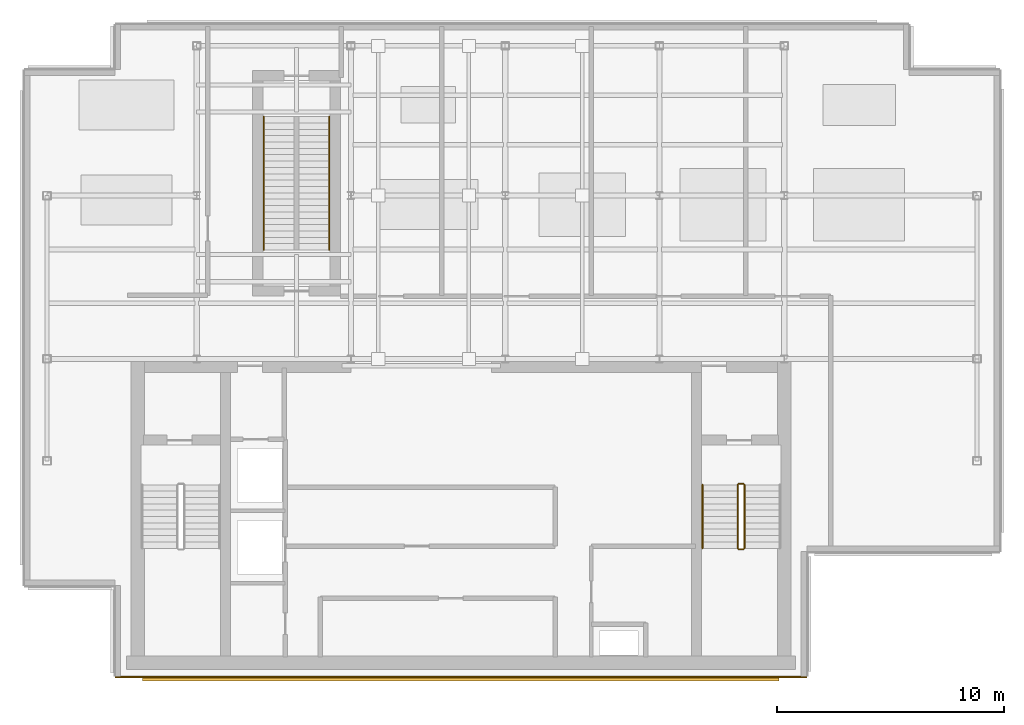
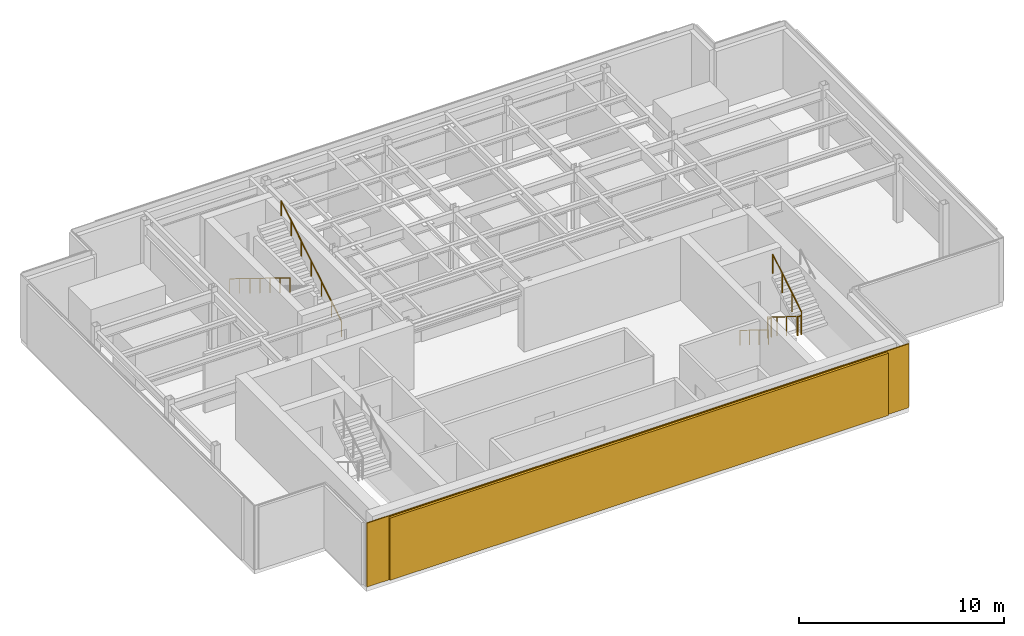
# One storey, part 5 of 7: 7 railings, 1 covering, 1 shading device.
"""IFC4 building model written with IfcOpenShell, lengths in metres."""

from ifc_helpers import new_model, si_unit, derived_unit, direction, frame, origin, origin_2d, place, context, subcontext, project, spatial, rectangle, circle, extrude, source, transform, mapped, material, layer, layer_set, type_object, element, save


model = new_model("IFC4")

# Units and contexts
model_context = context("Model", 3, precision=1e-05, world=origin(), true_north=direction((0.0, 1.0)))
body_context = subcontext(model_context, "Body", "Model", "MODEL_VIEW")
ifc_project = project(units=[si_unit("LENGTHUNIT", "METRE"), si_unit("AREAUNIT", "SQUARE_METRE"), si_unit("VOLUMEUNIT", "CUBIC_METRE"), si_unit("PLANEANGLEUNIT", "RADIAN"), si_unit("MASSUNIT", "GRAM", prefix="KILO"), derived_unit("THERMALTRANSMITTANCEUNIT", [(si_unit("POWERUNIT", "WATT"), 1), (si_unit("LENGTHUNIT", "METRE"), -2), (si_unit("THERMODYNAMICTEMPERATUREUNIT", "KELVIN"), -1)])], contexts=[model_context])

# Site, building, storey
site_placement = place(None, origin())
site = spatial("IfcSite", under=ifc_project, at=site_placement, CompositionType="ELEMENT")
building_placement = place(site_placement, origin())
building = spatial("IfcBuilding", under=site, at=building_placement, Name="Skarnbrae Concourse Arena and Tower", CompositionType="ELEMENT")
storey_placement = place(building_placement, frame((0.0, 0.0, 307.449951171875)))
storey = spatial("IfcBuildingStorey", under=building, at=storey_placement, Name="L80", CompositionType="ELEMENT", Elevation=307.449951171875)

# Railings
ifc_material_1 = material(Name="Steel CSA G40.21 350W", Category="steel")
railing_type_1 = type_object("IfcRailingType", Name="RAIL-HANDRAIL-900", PredefinedType="HANDRAIL", material=ifc_material_1)
railing_1_placement = place(storey_placement, frame((29.89990234375, 8.449951171875, 0.1728515625)))
element("IfcRailing", 1, at=railing_1_placement, inside=storey, type_object=railing_type_1, Name="L80 ST-2 stair handrail 1", PredefinedType="HANDRAIL", context=body_context, shape_type="SweptSolid", body=[
    extrude(circle(Radius=0.02392578125, at=origin_2d()), frame((0.0, 0.0, 0.8759765625), z_axis=(0.0, -0.851089632645, 0.525020415988), x_axis=(1.0, 0.0, 0.0)), (0.0, 0.0, 1.0), 3.2900390625),
    extrude(circle(Radius=0.02099609375, at=origin_2d()), origin(), (0.0, 0.0, 1.0), 0.851806640625),
    extrude(circle(Radius=0.02099609375, at=origin_2d()), frame((0.0, -0.933349609375, 0.57568359375)), (0.0, 0.0, 1.0), 0.851806640625),
    extrude(circle(Radius=0.02099609375, at=origin_2d()), frame((0.0, -1.86669921875, 1.151611328125)), (0.0, 0.0, 1.0), 0.851806640625),
    extrude(circle(Radius=0.02099609375, at=origin_2d()), frame((0.0, -2.800048828125, 1.727294921875)), (0.0, 0.0, 1.0), 0.851806640625),
])
railing_2_placement = place(storey_placement, frame((13.449951171875, 18.800048828125, 0.1728515625)))
element("IfcRailing", 2, at=railing_2_placement, inside=storey, type_object=railing_type_1, Name="L80 ST-CRWN stair handrail 1", PredefinedType="HANDRAIL", context=body_context, shape_type="SweptSolid", body=[
    extrude(circle(Radius=0.02392578125, at=origin_2d()), frame((0.0, 0.0, 0.8759765625), z_axis=(0.0, 0.851088761127, 0.525021828769), x_axis=(-1.0, 0.0, 0.0)), (0.0, 0.0, 1.0), 6.90869140625),
    extrude(circle(Radius=0.02099609375, at=origin_2d()), origin(), (0.0, 0.0, 1.0), 0.851806640625),
    extrude(circle(Radius=0.02099609375, at=origin_2d()), frame((0.0, 0.97998046875, 0.6044921875)), (0.0, 0.0, 1.0), 0.851806640625),
    extrude(circle(Radius=0.02099609375, at=origin_2d()), frame((0.0, 1.9599609375, 1.208984375)), (0.0, 0.0, 1.0), 0.851806640625),
    extrude(circle(Radius=0.02099609375, at=origin_2d()), frame((0.0, 2.93994140625, 1.8134765625)), (0.0, 0.0, 1.0), 0.851806640625),
    extrude(circle(Radius=0.02099609375, at=origin_2d()), frame((0.0, 3.919921875, 2.418212890625)), (0.0, 0.0, 1.0), 0.851806640625),
    extrude(circle(Radius=0.02099609375, at=origin_2d()), frame((0.0, 4.89990234375, 3.022705078125)), (0.0, 0.0, 1.0), 0.851806640625),
    extrude(circle(Radius=0.02099609375, at=origin_2d()), frame((0.0, 5.8798828125, 3.627197265625)), (0.0, 0.0, 1.0), 0.851806640625),
])
railing_3_placement = place(storey_placement, frame((10.550048828125, 24.679931640625, 0.1728515625)))
element("IfcRailing", 3, at=railing_3_placement, inside=storey, type_object=railing_type_1, Name="L80 ST-CRWN stair handrail 1", PredefinedType="HANDRAIL", context=body_context, shape_type="SweptSolid", body=[
    extrude(circle(Radius=0.02392578125, at=origin_2d()), frame((0.0, 0.0, 0.8759765625), z_axis=(0.0, -0.851088761127, 0.525021828769), x_axis=(1.0, 0.0, 0.0)), (0.0, 0.0, 1.0), 6.90869140625),
    extrude(circle(Radius=0.02099609375, at=origin_2d()), origin(), (0.0, 0.0, 1.0), 0.851806640625),
    extrude(circle(Radius=0.02099609375, at=origin_2d()), frame((0.0, -0.97998046875, 0.6044921875)), (0.0, 0.0, 1.0), 0.851806640625),
    extrude(circle(Radius=0.02099609375, at=origin_2d()), frame((0.0, -1.9599609375, 1.208984375)), (0.0, 0.0, 1.0), 0.851806640625),
    extrude(circle(Radius=0.02099609375, at=origin_2d()), frame((0.0, -2.93994140625, 1.8134765625)), (0.0, 0.0, 1.0), 0.851806640625),
    extrude(circle(Radius=0.02099609375, at=origin_2d()), frame((0.0, -3.919921875, 2.418212890625)), (0.0, 0.0, 1.0), 0.851806640625),
    extrude(circle(Radius=0.02099609375, at=origin_2d()), frame((0.0, -4.89990234375, 3.022705078125)), (0.0, 0.0, 1.0), 0.851806640625),
    extrude(circle(Radius=0.02099609375, at=origin_2d()), frame((0.0, -5.8798828125, 3.627197265625)), (0.0, 0.0, 1.0), 0.851806640625),
])
railing_type_2 = type_object("IfcRailingType", Name="RAIL-STAIR-GUARD-1150", PredefinedType="GUARDRAIL", material=ifc_material_1)
railing_4_placement = place(storey_placement, frame((31.449951171875, 8.449951171875, 0.1728515625)))
element("IfcRailing", 4, at=railing_4_placement, inside=storey, type_object=railing_type_2, Name="L80 ST-2 stair guard 1", PredefinedType="GUARDRAIL", context=body_context, shape_type="SweptSolid", body=[
    extrude(circle(Radius=0.02392578125, at=origin_2d()), frame((0.0, 0.0, 1.1259765625), z_axis=(0.0, -0.851089632645, 0.525020415988), x_axis=(1.0, 0.0, 0.0)), (0.0, 0.0, 1.0), 3.2900390625),
    extrude(circle(Radius=0.02099609375, at=origin_2d()), origin(), (0.0, 0.0, 1.0), 1.101806640625),
    extrude(circle(Radius=0.02099609375, at=origin_2d()), frame((0.0, -0.933349609375, 0.57568359375)), (0.0, 0.0, 1.0), 1.101806640625),
    extrude(circle(Radius=0.02099609375, at=origin_2d()), frame((0.0, -1.86669921875, 1.151611328125)), (0.0, 0.0, 1.0), 1.101806640625),
    extrude(circle(Radius=0.02099609375, at=origin_2d()), frame((0.0, -2.800048828125, 1.727294921875)), (0.0, 0.0, 1.0), 1.101806640625),
])
railing_5_placement = place(storey_placement, frame((31.5, 5.60009765625, 1.900146484375)))
element("IfcRailing", 5, at=railing_5_placement, inside=storey, type_object=railing_type_2, Name="L80 ST-2 stair guard 2", PredefinedType="GUARDRAIL", context=body_context, shape_type="SweptSolid", body=[
    extrude(circle(Radius=0.02392578125, at=origin_2d()), frame((0.0, 0.0, 1.1259765625), z_axis=(1.0, 0.0, 0.0), x_axis=(0.0, 1.0, 0.0)), (0.0, 0.0, 1.0), 0.199951171875),
    extrude(circle(Radius=0.02099609375, at=origin_2d()), origin(), (0.0, 0.0, 1.0), 1.101806640625),
    extrude(circle(Radius=0.02099609375, at=origin_2d()), frame((0.199951171875, 0.0, 0.0)), (0.0, 0.0, 1.0), 1.101806640625),
])
railing_6_placement = place(storey_placement, frame((31.75, 5.64990234375, 2.07275390625)))
element("IfcRailing", 6, at=railing_6_placement, inside=storey, type_object=railing_type_2, Name="L80 ST-2 stair guard 3", PredefinedType="GUARDRAIL", context=body_context, shape_type="SweptSolid", body=[
    extrude(circle(Radius=0.02392578125, at=origin_2d()), frame((0.0, 0.0, 1.1259765625), z_axis=(0.0, 0.851089632645, 0.525020415988), x_axis=(-1.0, 0.0, 0.0)), (0.0, 0.0, 1.0), 3.2900390625),
    extrude(circle(Radius=0.02099609375, at=origin_2d()), origin(), (0.0, 0.0, 1.0), 1.101806640625),
    extrude(circle(Radius=0.02099609375, at=origin_2d()), frame((0.0, 0.933349609375, 0.57568359375)), (0.0, 0.0, 1.0), 1.101806640625),
    extrude(circle(Radius=0.02099609375, at=origin_2d()), frame((0.0, 1.86669921875, 1.151611328125)), (0.0, 0.0, 1.0), 1.101806640625),
    extrude(circle(Radius=0.02099609375, at=origin_2d()), frame((0.0, 2.800048828125, 1.727294921875)), (0.0, 0.0, 1.0), 1.101806640625),
])
railing_7_placement = place(storey_placement, frame((31.5, 8.5, 0.0)))
element("IfcRailing", 7, at=railing_7_placement, inside=storey, type_object=railing_type_2, Name="L80 ST-2 stair guard 4", PredefinedType="GUARDRAIL", context=body_context, shape_type="SweptSolid", body=[
    extrude(circle(Radius=0.02392578125, at=origin_2d()), frame((0.0, 0.0, 1.1259765625), z_axis=(1.0, 0.0, 0.0), x_axis=(0.0, 1.0, 0.0)), (0.0, 0.0, 1.0), 0.199951171875),
    extrude(circle(Radius=0.02099609375, at=origin_2d()), origin(), (0.0, 0.0, 1.0), 1.101806640625),
    extrude(circle(Radius=0.02099609375, at=origin_2d()), frame((0.199951171875, 0.0, 0.0)), (0.0, 0.0, 1.0), 1.101806640625),
])

# Covering
ifc_material_2 = material(Name="Bronze anodised aluminium 6063-T6", Category="aluminium")
ifc_layer = layer(ifc_material_2, 0.06005859375)
ifc_layer_set = layer_set([ifc_layer], Name="Bronze anodised aluminium 6063-T6")
covering_type = type_object("IfcCoveringType", Name="COV-CLAD-BRONZE-60", PredefinedType="CLADDING", material=ifc_layer_set)
shared_shape_1 = source(origin(), body_context, "Body", "SweptSolid", [
    extrude(rectangle(XDim=30.5, YDim=0.06005859375, at=origin_2d()), origin(), (0.0, 0.0, 1.0), 3.800048828125),
])
covering_placement = place(storey_placement, frame((19.25, -0.030029296875, 0.0), z_axis=(0.0, 0.0, 1.0), x_axis=(1.0, 0.0, 0.0)))
element("IfcCovering", 8, at=covering_placement, inside=storey, type_object=covering_type, Name="L80 Bronze crown rainscreen cladding 01", PredefinedType="CLADDING", context=body_context, shape_type="MappedRepresentation", body=[
    mapped(shared_shape_1, transform((0.0, 0.0, 0.0))),
])

# Shading device
shading_device_type = type_object("IfcShadingDeviceType", Name="SHD-BRONZE-LOUVRE-150", PredefinedType="USERDEFINED", material=ifc_material_2)
shared_shape_2 = source(origin(), body_context, "Body", "SweptSolid", [
    extrude(rectangle(XDim=28.06005859375, YDim=0.139892578125, at=origin_2d()), origin(), (0.0, 0.0, 1.0), 3.699951171875),
])
shading_device_placement = place(storey_placement, frame((19.25, -0.1201171875, 0.05029296875), z_axis=(0.0, 0.0, 1.0), x_axis=(1.0, 0.0, 0.0)))
element("IfcShadingDevice", 9, at=shading_device_placement, inside=storey, type_object=shading_device_type, Name="L80 Crown bronze architectural louvre screen 01", ObjectType="LOUVRE", PredefinedType="USERDEFINED", context=body_context, shape_type="MappedRepresentation", body=[
    mapped(shared_shape_2, transform((0.0, 0.0, 0.0))),
])

save(model, "model.ifc")
